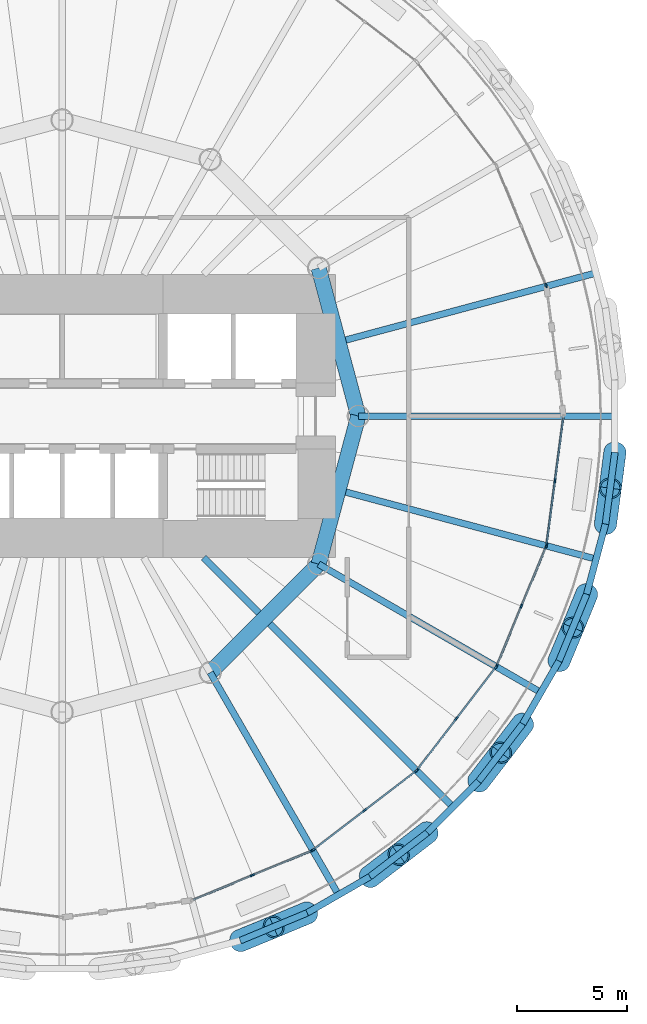
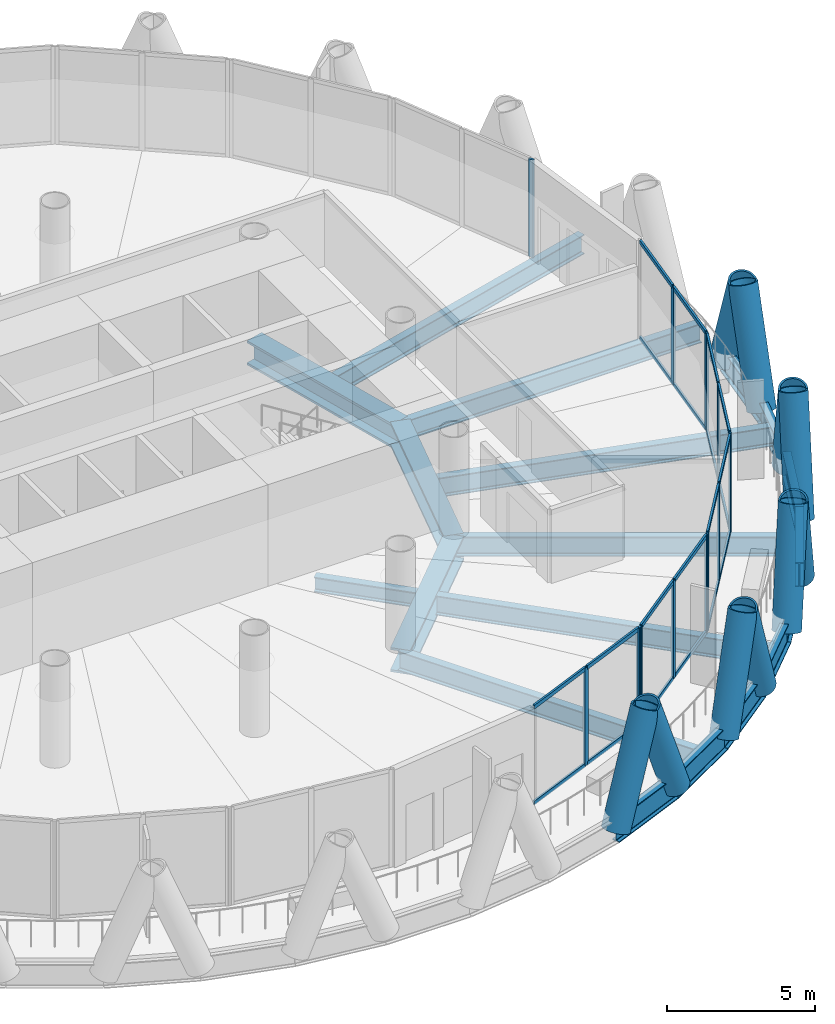
# One storey, part 4 of 15: 44 members, 19 beams, 6 elements without a shape of their own.
"""IFC4 building model written with IfcOpenShell, lengths in metres."""

from ifc_helpers import new_model, si_unit, direction, frame, origin, origin_2d, place, context, subcontext, project, spatial, rectangle, hollow_circle, i_section, extrude, material, material_profile, profile_set, type_object, element, aggregate, save


model = new_model("IFC4")

# Units and contexts
model_context = context("Model", 3, precision=1e-05, world=origin(), true_north=direction((0.0, 1.0)))
body_context = subcontext(model_context, "Body", "Model", "MODEL_VIEW")
ifc_project = project(units=[si_unit("LENGTHUNIT", "METRE"), si_unit("AREAUNIT", "SQUARE_METRE"), si_unit("VOLUMEUNIT", "CUBIC_METRE"), si_unit("PLANEANGLEUNIT", "RADIAN"), si_unit("MASSUNIT", "GRAM", prefix="KILO")], contexts=[model_context])

# Site, building, storey
site_placement = place(None, origin())
site = spatial("IfcSite", under=ifc_project, at=site_placement, CompositionType="ELEMENT")
building_placement = place(site_placement, origin())
building = spatial("IfcBuilding", under=site, at=building_placement, Name="Qaws Media Tower", CompositionType="ELEMENT")
storey_placement = place(building_placement, frame((0.0, 0.0, 114.199951171875)))
storey = spatial("IfcBuildingStorey", under=building, at=storey_placement, Name="L25", CompositionType="ELEMENT", Elevation=114.199951171875)

# Curtain wall, member
ifc_material_1 = material(Name="Aluminium and clear glass", Category="aluminium")
curtain_wall_type = type_object("IfcCurtainWallType", Name="Unitised curtain wall CW-B", PredefinedType="NOTDEFINED", material=ifc_material_1)
curtain_wall_1_placement = place(storey_placement, origin())
curtain_wall_1 = element("IfcCurtainWall", 1, at=curtain_wall_1_placement, inside=storey, type_object=curtain_wall_type, Name="CWB curtain wall L25-02", PredefinedType="NOTDEFINED")
ifc_material_2 = material(Name="Aluminium mullion", Category="aluminium")
ifc_material_profile_1 = material_profile(ifc_material_2, rectangle(XDim=0.080078125, YDim=0.199951171875, at=origin_2d()), Name="80x200")
ifc_profile_set_1 = profile_set([ifc_material_profile_1], Name="Aluminium mullion")
member_type_1 = type_object("IfcMemberType", Name="Curtain wall mullion 80x200", PredefinedType="MULLION", material=ifc_profile_set_1)
member_1_placement = place(storey_placement, frame((82.05615234375, 55.950927734375, 0.0), z_axis=(0.0, 0.0, 1.0), x_axis=(-0.923879516448, -0.382683471145, 0.0)))
member_1 = element("IfcMember", 2, at=member_1_placement, type_object=member_type_1, Name="CWB mullion 1", PredefinedType="MULLION", context=body_context, shape_type="SweptSolid", body=[
    extrude(rectangle(XDim=0.080078125, YDim=0.199951171875, at=origin_2d()), origin(), (0.0, 0.0, 1.0), 4.0400390625),
])
aggregate(curtain_wall_1, [member_1])

# Curtain wall, members
curtain_wall_2_placement = place(storey_placement, origin())
curtain_wall_2 = element("IfcCurtainWall", 3, at=curtain_wall_2_placement, inside=storey, type_object=curtain_wall_type, Name="CWB curtain wall L25-20", PredefinedType="NOTDEFINED")
member_2_placement = place(storey_placement, frame((68.66943359375, 29.070068359375, 0.0), z_axis=(0.0, 0.0, 1.0), x_axis=(-0.382683471145, 0.923879516448, 0.0)))
member_2 = element("IfcMember", 4, at=member_2_placement, type_object=member_type_1, Name="CWB mullion 2", PredefinedType="MULLION", context=body_context, shape_type="SweptSolid", body=[
    extrude(rectangle(XDim=0.080078125, YDim=0.199951171875, at=origin_2d()), origin(), (0.0, 0.0, 1.0), 4.0400390625),
])
member_3_placement = place(storey_placement, frame((71.387939453125, 30.196044921875, 0.0), z_axis=(0.0, 0.0, 1.0), x_axis=(-0.382683471145, 0.923879516448, 0.0)))
member_3 = element("IfcMember", 5, at=member_3_placement, type_object=member_type_1, Name="CWB mullion 3", PredefinedType="MULLION", context=body_context, shape_type="SweptSolid", body=[
    extrude(rectangle(XDim=0.080078125, YDim=0.199951171875, at=origin_2d()), origin(), (0.0, 0.0, 1.0), 4.0400390625),
])

curtain_wall_3_placement = place(storey_placement, origin())
curtain_wall_3 = element("IfcCurtainWall", 6, at=curtain_wall_3_placement, inside=storey, type_object=curtain_wall_type, Name="CWB curtain wall L25-21", PredefinedType="NOTDEFINED")
member_4_placement = place(storey_placement, frame((71.456787109375, 30.235595703125, 0.0), z_axis=(0.0, 0.0, 1.0), x_axis=(-0.608761369427, 0.79335338601, 0.0)))
member_4 = element("IfcMember", 7, at=member_4_placement, type_object=member_type_1, Name="CWB mullion 1", PredefinedType="MULLION", context=body_context, shape_type="SweptSolid", body=[
    extrude(rectangle(XDim=0.080078125, YDim=0.199951171875, at=origin_2d()), origin(), (0.0, 0.0, 1.0), 4.0400390625),
])
member_5_placement = place(storey_placement, frame((73.791259765625, 32.02685546875, 0.0), z_axis=(0.0, 0.0, 1.0), x_axis=(-0.608761369427, 0.79335338601, 0.0)))
member_5 = element("IfcMember", 8, at=member_5_placement, type_object=member_type_1, Name="CWB mullion 2", PredefinedType="MULLION", context=body_context, shape_type="SweptSolid", body=[
    extrude(rectangle(XDim=0.080078125, YDim=0.199951171875, at=origin_2d()), origin(), (0.0, 0.0, 1.0), 4.0400390625),
])
member_6_placement = place(storey_placement, frame((76.125732421875, 33.818359375, 0.0), z_axis=(0.0, 0.0, 1.0), x_axis=(-0.608761369427, 0.79335338601, 0.0)))
member_6 = element("IfcMember", 9, at=member_6_placement, type_object=member_type_1, Name="CWB mullion 3", PredefinedType="MULLION", context=body_context, shape_type="SweptSolid", body=[
    extrude(rectangle(XDim=0.080078125, YDim=0.199951171875, at=origin_2d()), origin(), (0.0, 0.0, 1.0), 4.0400390625),
])

curtain_wall_4_placement = place(storey_placement, origin())
curtain_wall_4 = element("IfcCurtainWall", 10, at=curtain_wall_4_placement, inside=storey, type_object=curtain_wall_type, Name="CWB curtain wall L25-22", PredefinedType="NOTDEFINED")
member_7_placement = place(storey_placement, frame((76.181640625, 33.874267578125, 0.0), z_axis=(0.0, 0.0, 1.0), x_axis=(-0.79335338601, 0.608761369427, 0.0)))
member_7 = element("IfcMember", 11, at=member_7_placement, type_object=member_type_1, Name="CWB mullion 1", PredefinedType="MULLION", context=body_context, shape_type="SweptSolid", body=[
    extrude(rectangle(XDim=0.080078125, YDim=0.199951171875, at=origin_2d()), origin(), (0.0, 0.0, 1.0), 4.0400390625),
])
member_8_placement = place(storey_placement, frame((77.97314453125, 36.208740234375, 0.0), z_axis=(0.0, 0.0, 1.0), x_axis=(-0.79335338601, 0.608761369427, 0.0)))
member_8 = element("IfcMember", 12, at=member_8_placement, type_object=member_type_1, Name="CWB mullion 2", PredefinedType="MULLION", context=body_context, shape_type="SweptSolid", body=[
    extrude(rectangle(XDim=0.080078125, YDim=0.199951171875, at=origin_2d()), origin(), (0.0, 0.0, 1.0), 4.0400390625),
])
member_9_placement = place(storey_placement, frame((79.764404296875, 38.543212890625, 0.0), z_axis=(0.0, 0.0, 1.0), x_axis=(-0.79335338601, 0.608761369427, 0.0)))
member_9 = element("IfcMember", 13, at=member_9_placement, type_object=member_type_1, Name="CWB mullion 3", PredefinedType="MULLION", context=body_context, shape_type="SweptSolid", body=[
    extrude(rectangle(XDim=0.080078125, YDim=0.199951171875, at=origin_2d()), origin(), (0.0, 0.0, 1.0), 4.0400390625),
])

curtain_wall_5_placement = place(storey_placement, origin())
curtain_wall_5 = element("IfcCurtainWall", 14, at=curtain_wall_5_placement, inside=storey, type_object=curtain_wall_type, Name="CWB curtain wall L25-23", PredefinedType="NOTDEFINED")
member_10_placement = place(storey_placement, frame((79.803955078125, 38.612060546875, 0.0), z_axis=(0.0, 0.0, 1.0), x_axis=(-0.923879516448, 0.382683471145, 0.0)))
member_10 = element("IfcMember", 15, at=member_10_placement, type_object=member_type_1, Name="CWB mullion 1", PredefinedType="MULLION", context=body_context, shape_type="SweptSolid", body=[
    extrude(rectangle(XDim=0.080078125, YDim=0.199951171875, at=origin_2d()), origin(), (0.0, 0.0, 1.0), 4.0400390625),
])
member_11_placement = place(storey_placement, frame((80.929931640625, 41.33056640625, 0.0), z_axis=(0.0, 0.0, 1.0), x_axis=(-0.923879516448, 0.382683471145, 0.0)))
member_11 = element("IfcMember", 16, at=member_11_placement, type_object=member_type_1, Name="CWB mullion 2", PredefinedType="MULLION", context=body_context, shape_type="SweptSolid", body=[
    extrude(rectangle(XDim=0.080078125, YDim=0.199951171875, at=origin_2d()), origin(), (0.0, 0.0, 1.0), 4.0400390625),
])
member_12_placement = place(storey_placement, frame((82.05615234375, 44.049072265625, 0.0), z_axis=(0.0, 0.0, 1.0), x_axis=(-0.923879516448, 0.382683471145, 0.0)))
member_12 = element("IfcMember", 17, at=member_12_placement, type_object=member_type_1, Name="CWB mullion 3", PredefinedType="MULLION", context=body_context, shape_type="SweptSolid", body=[
    extrude(rectangle(XDim=0.080078125, YDim=0.199951171875, at=origin_2d()), origin(), (0.0, 0.0, 1.0), 4.0400390625),
])

curtain_wall_6_placement = place(storey_placement, origin())
curtain_wall_6 = element("IfcCurtainWall", 18, at=curtain_wall_6_placement, inside=storey, type_object=curtain_wall_type, Name="CWB curtain wall L25-24", PredefinedType="NOTDEFINED")
member_13_placement = place(storey_placement, frame((82.07666015625, 44.125732421875, 0.0), z_axis=(0.0, 0.0, 1.0), x_axis=(-0.991444858023, 0.130526217674, 0.0)))
member_13 = element("IfcMember", 19, at=member_13_placement, type_object=member_type_1, Name="CWB mullion 1", PredefinedType="MULLION", context=body_context, shape_type="SweptSolid", body=[
    extrude(rectangle(XDim=0.080078125, YDim=0.199951171875, at=origin_2d()), origin(), (0.0, 0.0, 1.0), 4.0400390625),
])
member_14_placement = place(storey_placement, frame((82.460693359375, 47.04296875, 0.0), z_axis=(0.0, 0.0, 1.0), x_axis=(-0.991444858023, 0.130526217674, 0.0)))
member_14 = element("IfcMember", 20, at=member_14_placement, type_object=member_type_1, Name="CWB mullion 2", PredefinedType="MULLION", context=body_context, shape_type="SweptSolid", body=[
    extrude(rectangle(XDim=0.080078125, YDim=0.199951171875, at=origin_2d()), origin(), (0.0, 0.0, 1.0), 4.0400390625),
])

# Member
ifc_material_3 = material(Name="Aluminium transom", Category="aluminium")
ifc_material_profile_2 = material_profile(ifc_material_3, rectangle(XDim=0.080078125, YDim=0.159912109375, at=origin_2d()), Name="80x160")
ifc_profile_set_2 = profile_set([ifc_material_profile_2], Name="Aluminium transom")
member_type_2 = type_object("IfcMemberType", Name="Curtain wall transom 80x160", PredefinedType="USERDEFINED", material=ifc_profile_set_2)
member_15_placement = place(storey_placement, frame((65.988037109375, 27.959228515625, 0.0400390625), z_axis=(0.923872334596, 0.382700809207, 0.0), x_axis=(-0.382700809207, 0.923872334596, 0.0)))
member_15 = element("IfcMember", 21, at=member_15_placement, type_object=member_type_2, Name="CWB transom 1.1", ObjectType="TRANSOM", PredefinedType="USERDEFINED", context=body_context, shape_type="SweptSolid", body=[
    extrude(rectangle(XDim=0.080078125, YDim=0.159912109375, at=origin_2d()), origin(), (0.0, 0.0, 1.0), 2.862548828125),
])

member_16_placement = place(storey_placement, frame((65.988037109375, 27.959228515625, 4.0), z_axis=(0.923872334596, 0.382700809207, 0.0), x_axis=(-0.382700809207, 0.923872334596, 0.0)))
member_16 = element("IfcMember", 22, at=member_16_placement, type_object=member_type_2, Name="CWB transom 1.2", ObjectType="TRANSOM", PredefinedType="USERDEFINED", context=body_context, shape_type="SweptSolid", body=[
    extrude(rectangle(XDim=0.080078125, YDim=0.159912109375, at=origin_2d()), origin(), (0.0, 0.0, 1.0), 2.862548828125),
])

member_17_placement = place(storey_placement, frame((68.70654296875, 29.085205078125, 0.0400390625), z_axis=(0.923872334596, 0.382700809207, 0.0), x_axis=(-0.382700809207, 0.923872334596, 0.0)))
member_17 = element("IfcMember", 23, at=member_17_placement, type_object=member_type_2, Name="CWB transom 2.1", ObjectType="TRANSOM", PredefinedType="USERDEFINED", context=body_context, shape_type="SweptSolid", body=[
    extrude(rectangle(XDim=0.080078125, YDim=0.159912109375, at=origin_2d()), origin(), (0.0, 0.0, 1.0), 2.862548828125),
])

member_18_placement = place(storey_placement, frame((68.70654296875, 29.085205078125, 4.0), z_axis=(0.923872334596, 0.382700809207, 0.0), x_axis=(-0.382700809207, 0.923872334596, 0.0)))
member_18 = element("IfcMember", 24, at=member_18_placement, type_object=member_type_2, Name="CWB transom 2.2", ObjectType="TRANSOM", PredefinedType="USERDEFINED", context=body_context, shape_type="SweptSolid", body=[
    extrude(rectangle(XDim=0.080078125, YDim=0.159912109375, at=origin_2d()), origin(), (0.0, 0.0, 1.0), 2.862548828125),
])

aggregate(curtain_wall_2, [member_2, member_3, member_15, member_16, member_17, member_18])

member_19_placement = place(storey_placement, frame((71.488525390625, 30.260009765625, 0.0400390625), z_axis=(0.793339979648, 0.608778840543, 0.0), x_axis=(-0.608778840543, 0.793339979648, 0.0)))
member_19 = element("IfcMember", 25, at=member_19_placement, type_object=member_type_2, Name="CWB transom 1.1", ObjectType="TRANSOM", PredefinedType="USERDEFINED", context=body_context, shape_type="SweptSolid", body=[
    extrude(rectangle(XDim=0.080078125, YDim=0.159912109375, at=origin_2d()), origin(), (0.0, 0.0, 1.0), 2.862548828125),
])

member_20_placement = place(storey_placement, frame((71.488525390625, 30.260009765625, 4.0), z_axis=(0.793339979648, 0.608778840543, 0.0), x_axis=(-0.608778840543, 0.793339979648, 0.0)))
member_20 = element("IfcMember", 26, at=member_20_placement, type_object=member_type_2, Name="CWB transom 1.2", ObjectType="TRANSOM", PredefinedType="USERDEFINED", context=body_context, shape_type="SweptSolid", body=[
    extrude(rectangle(XDim=0.080078125, YDim=0.159912109375, at=origin_2d()), origin(), (0.0, 0.0, 1.0), 2.862548828125),
])

member_21_placement = place(storey_placement, frame((73.822998046875, 32.05126953125, 0.0400390625), z_axis=(0.793339979648, 0.608778840543, 0.0), x_axis=(-0.608778840543, 0.793339979648, 0.0)))
member_21 = element("IfcMember", 27, at=member_21_placement, type_object=member_type_2, Name="CWB transom 2.1", ObjectType="TRANSOM", PredefinedType="USERDEFINED", context=body_context, shape_type="SweptSolid", body=[
    extrude(rectangle(XDim=0.080078125, YDim=0.159912109375, at=origin_2d()), origin(), (0.0, 0.0, 1.0), 2.862548828125),
])

member_22_placement = place(storey_placement, frame((73.822998046875, 32.05126953125, 4.0), z_axis=(0.793339979648, 0.608778840543, 0.0), x_axis=(-0.608778840543, 0.793339979648, 0.0)))
member_22 = element("IfcMember", 28, at=member_22_placement, type_object=member_type_2, Name="CWB transom 2.2", ObjectType="TRANSOM", PredefinedType="USERDEFINED", context=body_context, shape_type="SweptSolid", body=[
    extrude(rectangle(XDim=0.080078125, YDim=0.159912109375, at=origin_2d()), origin(), (0.0, 0.0, 1.0), 2.862548828125),
])

aggregate(curtain_wall_3, [member_4, member_5, member_6, member_19, member_20, member_21, member_22])

member_23_placement = place(storey_placement, frame((76.2060546875, 33.906005859375, 0.0400390625), z_axis=(0.608778840543, 0.793339979648, 0.0), x_axis=(-0.793339979648, 0.608778840543, 0.0)))
member_23 = element("IfcMember", 29, at=member_23_placement, type_object=member_type_2, Name="CWB transom 1.1", ObjectType="TRANSOM", PredefinedType="USERDEFINED", context=body_context, shape_type="SweptSolid", body=[
    extrude(rectangle(XDim=0.080078125, YDim=0.159912109375, at=origin_2d()), origin(), (0.0, 0.0, 1.0), 2.862548828125),
])

member_24_placement = place(storey_placement, frame((76.2060546875, 33.906005859375, 4.0), z_axis=(0.608778840543, 0.793339979648, 0.0), x_axis=(-0.793339979648, 0.608778840543, 0.0)))
member_24 = element("IfcMember", 30, at=member_24_placement, type_object=member_type_2, Name="CWB transom 1.2", ObjectType="TRANSOM", PredefinedType="USERDEFINED", context=body_context, shape_type="SweptSolid", body=[
    extrude(rectangle(XDim=0.080078125, YDim=0.159912109375, at=origin_2d()), origin(), (0.0, 0.0, 1.0), 2.862548828125),
])

member_25_placement = place(storey_placement, frame((77.997314453125, 36.240478515625, 0.0400390625), z_axis=(0.608778840543, 0.793339979648, 0.0), x_axis=(-0.793339979648, 0.608778840543, 0.0)))
member_25 = element("IfcMember", 31, at=member_25_placement, type_object=member_type_2, Name="CWB transom 2.1", ObjectType="TRANSOM", PredefinedType="USERDEFINED", context=body_context, shape_type="SweptSolid", body=[
    extrude(rectangle(XDim=0.080078125, YDim=0.159912109375, at=origin_2d()), origin(), (0.0, 0.0, 1.0), 2.862548828125),
])

member_26_placement = place(storey_placement, frame((77.997314453125, 36.240478515625, 4.0), z_axis=(0.608778840543, 0.793339979648, 0.0), x_axis=(-0.793339979648, 0.608778840543, 0.0)))
member_26 = element("IfcMember", 32, at=member_26_placement, type_object=member_type_2, Name="CWB transom 2.2", ObjectType="TRANSOM", PredefinedType="USERDEFINED", context=body_context, shape_type="SweptSolid", body=[
    extrude(rectangle(XDim=0.080078125, YDim=0.159912109375, at=origin_2d()), origin(), (0.0, 0.0, 1.0), 2.862548828125),
])

aggregate(curtain_wall_4, [member_7, member_8, member_9, member_23, member_24, member_25, member_26])

member_27_placement = place(storey_placement, frame((79.8193359375, 38.64892578125, 0.0400390625), z_axis=(0.382700809207, 0.923872334596, 0.0), x_axis=(-0.923872334596, 0.382700809207, 0.0)))
member_27 = element("IfcMember", 33, at=member_27_placement, type_object=member_type_2, Name="CWB transom 1.1", ObjectType="TRANSOM", PredefinedType="USERDEFINED", context=body_context, shape_type="SweptSolid", body=[
    extrude(rectangle(XDim=0.080078125, YDim=0.159912109375, at=origin_2d()), origin(), (0.0, 0.0, 1.0), 2.862548828125),
])

member_28_placement = place(storey_placement, frame((79.8193359375, 38.64892578125, 4.0), z_axis=(0.382700809207, 0.923872334596, 0.0), x_axis=(-0.923872334596, 0.382700809207, 0.0)))
member_28 = element("IfcMember", 34, at=member_28_placement, type_object=member_type_2, Name="CWB transom 1.2", ObjectType="TRANSOM", PredefinedType="USERDEFINED", context=body_context, shape_type="SweptSolid", body=[
    extrude(rectangle(XDim=0.080078125, YDim=0.159912109375, at=origin_2d()), origin(), (0.0, 0.0, 1.0), 2.862548828125),
])

member_29_placement = place(storey_placement, frame((80.9453125, 41.367431640625, 0.0400390625), z_axis=(0.382700809207, 0.923872334596, 0.0), x_axis=(-0.923872334596, 0.382700809207, 0.0)))
member_29 = element("IfcMember", 35, at=member_29_placement, type_object=member_type_2, Name="CWB transom 2.1", ObjectType="TRANSOM", PredefinedType="USERDEFINED", context=body_context, shape_type="SweptSolid", body=[
    extrude(rectangle(XDim=0.080078125, YDim=0.159912109375, at=origin_2d()), origin(), (0.0, 0.0, 1.0), 2.862548828125),
])

member_30_placement = place(storey_placement, frame((80.9453125, 41.367431640625, 4.0), z_axis=(0.382700809207, 0.923872334596, 0.0), x_axis=(-0.923872334596, 0.382700809207, 0.0)))
member_30 = element("IfcMember", 36, at=member_30_placement, type_object=member_type_2, Name="CWB transom 2.2", ObjectType="TRANSOM", PredefinedType="USERDEFINED", context=body_context, shape_type="SweptSolid", body=[
    extrude(rectangle(XDim=0.080078125, YDim=0.159912109375, at=origin_2d()), origin(), (0.0, 0.0, 1.0), 2.862548828125),
])

aggregate(curtain_wall_5, [member_10, member_11, member_12, member_27, member_28, member_29, member_30])

member_31_placement = place(storey_placement, frame((82.081787109375, 44.165283203125, 0.0400390625), z_axis=(0.130571437549, 0.991438903663, 0.0), x_axis=(-0.991438903663, 0.130571437549, 0.0)))
member_31 = element("IfcMember", 37, at=member_31_placement, type_object=member_type_2, Name="CWB transom 1.1", ObjectType="TRANSOM", PredefinedType="USERDEFINED", context=body_context, shape_type="SweptSolid", body=[
    extrude(rectangle(XDim=0.080078125, YDim=0.159912109375, at=origin_2d()), origin(), (0.0, 0.0, 1.0), 2.862548828125),
])

member_32_placement = place(storey_placement, frame((82.081787109375, 44.165283203125, 4.0), z_axis=(0.130571437549, 0.991438903663, 0.0), x_axis=(-0.991438903663, 0.130571437549, 0.0)))
member_32 = element("IfcMember", 38, at=member_32_placement, type_object=member_type_2, Name="CWB transom 1.2", ObjectType="TRANSOM", PredefinedType="USERDEFINED", context=body_context, shape_type="SweptSolid", body=[
    extrude(rectangle(XDim=0.080078125, YDim=0.159912109375, at=origin_2d()), origin(), (0.0, 0.0, 1.0), 2.862548828125),
])

member_33_placement = place(storey_placement, frame((82.4658203125, 47.082763671875, 0.0400390625), z_axis=(0.130582478934, 0.991437449462, 0.0), x_axis=(-0.991437449462, 0.130582478934, 0.0)))
member_33 = element("IfcMember", 39, at=member_33_placement, type_object=member_type_2, Name="CWB transom 2.1", ObjectType="TRANSOM", PredefinedType="USERDEFINED", context=body_context, shape_type="SweptSolid", body=[
    extrude(rectangle(XDim=0.080078125, YDim=0.159912109375, at=origin_2d()), origin(), (0.0, 0.0, 1.0), 2.8623046875),
])

member_34_placement = place(storey_placement, frame((82.4658203125, 47.082763671875, 4.0), z_axis=(0.130582478934, 0.991437449462, 0.0), x_axis=(-0.991437449462, 0.130582478934, 0.0)))
member_34 = element("IfcMember", 40, at=member_34_placement, type_object=member_type_2, Name="CWB transom 2.2", ObjectType="TRANSOM", PredefinedType="USERDEFINED", context=body_context, shape_type="SweptSolid", body=[
    extrude(rectangle(XDim=0.080078125, YDim=0.159912109375, at=origin_2d()), origin(), (0.0, 0.0, 1.0), 2.8623046875),
])

aggregate(curtain_wall_6, [member_13, member_14, member_31, member_32, member_33, member_34])

# Members
ifc_material_4 = material(Name="Steel S460", Category="steel")
ifc_material_profile_3 = material_profile(ifc_material_4, hollow_circle(Radius=0.508056640625, WallThickness=0.070068359375, at=origin_2d()), Name="CHS 1016x70")
ifc_profile_set_3 = profile_set([ifc_material_profile_3], Name="Steel S460")
member_type_3 = type_object("IfcMemberType", Name="Diagrid member CHS 1016x70", PredefinedType="USERDEFINED", material=ifc_profile_set_3)
for number, where, z_axis, x_axis, name in (
    (41, (85.196044921875, 48.3486328125, -0.6640625), (-0.046899822475, -0.362919156842, 0.930639614593), (0.991753034089, -0.128163642951, 0.0), "DG3 diagrid L25 B01"),
    (42, (68.116455078125, 26.090087890625, -0.6640625), (0.338368735106, 0.139188290236, 0.930662784774), (-0.380422582844, 0.924812769409, 0.0), "DG3 diagrid L25 A20"),
    (43, (74.028076171875, 29.00537109375, -0.6640625), (0.290865116698, 0.22205715158, 0.930638547085), (-0.606813434489, 0.794844296528, 0.0), "DG3 diagrid L25 A21"),
    (44, (71.167724609375, 27.35400390625, -0.6640625), (-0.337714392643, -0.140863091213, 0.930648472054), (0.384961763286, -0.922932522348, 0.0), "DG3 diagrid L25 B21"),
    (45, (78.98388671875, 33.3515625, -0.6640625), (0.223467284253, 0.289733908124, 0.930653875161), (-0.791837409053, 0.610731952352, 0.0), "DG3 diagrid L25 A22"),
    (46, (76.6484375, 31.01611328125, -0.6640625), (-0.289733908124, -0.223467284253, 0.930653875161), (0.610731952352, -0.791837409053, 0.0), "DG3 diagrid L25 B22"),
    (47, (82.64599609375, 38.832275390625, -0.6640625), (0.140863091213, 0.337714392643, 0.930648472054), (-0.922932522348, 0.384961763286, 0.0), "DG3 diagrid L25 A23"),
    (48, (80.99462890625, 35.971923828125, -0.6640625), (-0.22205715158, -0.290865116698, 0.930638547085), (0.794844296528, -0.606813434489, 0.0), "DG3 diagrid L25 B23"),
    (49, (84.764892578125, 45.073974609375, -0.6640625), (0.048631593333, 0.362654284432, 0.930653984095), (-0.991128198543, 0.13290934524, 0.0), "DG3 diagrid L25 A24"),
    (50, (83.909912109375, 41.883544921875, -0.6640625), (-0.139188290236, -0.338368735106, 0.930662784774), (0.924812769409, -0.380422582844, 0.0), "DG3 diagrid L25 B24"),
):
    element("IfcMember", number, at=place(storey_placement, frame(where, z_axis=z_axis, x_axis=x_axis)), inside=storey, type_object=member_type_3, Name=name, ObjectType="DIAGRID", PredefinedType="USERDEFINED", context=body_context, shape_type="SweptSolid", body=[
        extrude(hollow_circle(Radius=0.508056640625, WallThickness=0.070068359375, at=origin_2d()), origin(), (0.0, 0.0, 1.0), 4.51318359375),
    ])

# Beams
ifc_material_5 = material(Name="Steel S460", Category="steel")
ifc_material_profile_4 = material_profile(ifc_material_5, i_section(OverallWidth=0.302001953125, OverallDepth=1.008056640625, WebThickness=0.02099609375, FlangeThickness=0.0400390625, FilletRadius=0.030029296875, at=origin_2d()), Name="HE 1000 M")
ifc_profile_set_4 = profile_set([ifc_material_profile_4], Name="Steel S460")
beam_type_1 = type_object("IfcBeamType", Name="Edge ring beam HE 1000 M", PredefinedType="BEAM", material=ifc_profile_set_4)
for number, where, z_axis, x_axis, name in (
    (51, (68.116455078125, 26.090087890625, -0.6640625), (0.92387537962, 0.382693458177, 0.0), (-0.382693458177, 0.92387537962, 0.0), "RB3 edge ring beam L25-39"),
    (52, (71.167724609375, 27.35400390625, -0.6640625), (0.866032949645, 0.499986929959, 0.0), (-0.499986929959, 0.866032949645, 0.0), "RB3 edge ring beam L25-40"),
):
    element("IfcBeam", number, at=place(storey_placement, frame(where, z_axis=z_axis, x_axis=x_axis)), inside=storey, type_object=beam_type_1, Name=name, PredefinedType="BEAM", context=body_context, shape_type="SweptSolid", body=[
        extrude(i_section(OverallWidth=0.302001953125, OverallDepth=1.008056640625, WebThickness=0.02099609375, FlangeThickness=0.0400390625, FilletRadius=0.030029296875, at=origin_2d()), origin(), (0.0, 0.0, 1.0), 3.302734375),
    ])
beam_1_placement = place(storey_placement, frame((74.028076171875, 29.00537109375, -0.6640625), z_axis=(0.793343364577, 0.608774429392, 0.0), x_axis=(-0.608774429392, 0.793343364577, 0.0)))
element("IfcBeam", 53, at=beam_1_placement, inside=storey, type_object=beam_type_1, Name="RB3 edge ring beam L25-41", PredefinedType="BEAM", context=body_context, shape_type="SweptSolid", body=[
    extrude(i_section(OverallWidth=0.302001953125, OverallDepth=1.008056640625, WebThickness=0.02099609375, FlangeThickness=0.0400390625, FilletRadius=0.030029296875, at=origin_2d()), origin(), (0.0, 0.0, 1.0), 3.302978515625),
])
beam_2_placement = place(storey_placement, frame((76.6484375, 31.01611328125, -0.6640625), z_axis=(0.707106781187, 0.707106781187, 0.0), x_axis=(-0.707106781187, 0.707106781187, 0.0)))
element("IfcBeam", 54, at=beam_2_placement, inside=storey, type_object=beam_type_1, Name="RB3 edge ring beam L25-42", PredefinedType="BEAM", context=body_context, shape_type="SweptSolid", body=[
    extrude(i_section(OverallWidth=0.302001953125, OverallDepth=1.008056640625, WebThickness=0.02099609375, FlangeThickness=0.0400390625, FilletRadius=0.030029296875, at=origin_2d()), origin(), (0.0, 0.0, 1.0), 3.302734375),
])
beam_3_placement = place(storey_placement, frame((78.98388671875, 33.3515625, -0.6640625), z_axis=(0.608774429392, 0.793343364577, 0.0), x_axis=(-0.793343364577, 0.608774429392, 0.0)))
element("IfcBeam", 55, at=beam_3_placement, inside=storey, type_object=beam_type_1, Name="RB3 edge ring beam L25-43", PredefinedType="BEAM", context=body_context, shape_type="SweptSolid", body=[
    extrude(i_section(OverallWidth=0.302001953125, OverallDepth=1.008056640625, WebThickness=0.02099609375, FlangeThickness=0.0400390625, FilletRadius=0.030029296875, at=origin_2d()), origin(), (0.0, 0.0, 1.0), 3.302978515625),
])
for number, where, z_axis, x_axis, name in (
    (56, (80.99462890625, 35.971923828125, -0.6640625), (0.499986929959, 0.866032949645, 0.0), (-0.866032949645, 0.499986929959, 0.0), "RB3 edge ring beam L25-44"),
    (57, (82.64599609375, 38.832275390625, -0.6640625), (0.382693458177, 0.92387537962, 0.0), (-0.92387537962, 0.382693458177, 0.0), "RB3 edge ring beam L25-45"),
):
    element("IfcBeam", number, at=place(storey_placement, frame(where, z_axis=z_axis, x_axis=x_axis)), inside=storey, type_object=beam_type_1, Name=name, PredefinedType="BEAM", context=body_context, shape_type="SweptSolid", body=[
        extrude(i_section(OverallWidth=0.302001953125, OverallDepth=1.008056640625, WebThickness=0.02099609375, FlangeThickness=0.0400390625, FilletRadius=0.030029296875, at=origin_2d()), origin(), (0.0, 0.0, 1.0), 3.302734375),
    ])
for number, where, z_axis, x_axis, name in (
    (58, (83.909912109375, 41.883544921875, -0.6640625), (0.258849385643, 0.965917696055, 0.0), (-0.965917696055, 0.258849385643, 0.0), "RB3 edge ring beam L25-46"),
    (59, (84.764892578125, 45.073974609375, -0.6640625), (0.130536731142, 0.991443473841, 0.0), (-0.991443473841, 0.130536731142, 0.0), "RB3 edge ring beam L25-47"),
):
    element("IfcBeam", number, at=place(storey_placement, frame(where, z_axis=z_axis, x_axis=x_axis)), inside=storey, type_object=beam_type_1, Name=name, PredefinedType="BEAM", context=body_context, shape_type="SweptSolid", body=[
        extrude(i_section(OverallWidth=0.302001953125, OverallDepth=1.008056640625, WebThickness=0.02099609375, FlangeThickness=0.0400390625, FilletRadius=0.030029296875, at=origin_2d()), origin(), (0.0, 0.0, 1.0), 3.302978515625),
    ])
ifc_material_6 = material(Name="Steel S460", Category="steel")
ifc_material_profile_5 = material_profile(ifc_material_6, i_section(OverallWidth=0.699951171875, OverallDepth=1.0, WebThickness=0.034912109375, FlangeThickness=0.090087890625, at=origin_2d()), Name="PG 1000x700")
ifc_profile_set_5 = profile_set([ifc_material_profile_5], Name="Steel S460")
beam_type_2 = type_object("IfcBeamType", Name="Inner ring girder PG 1000x700", PredefinedType="BEAM", material=ifc_profile_set_5)
beam_4_placement = place(storey_placement, frame((73.5, 50.0, -0.659912109375), z_axis=(-0.258810593767, 0.965928090778, 0.0), x_axis=(-0.965928090778, -0.258810593767, 0.0)))
element("IfcBeam", 60, at=beam_4_placement, inside=storey, type_object=beam_type_2, Name="B3 inner ring beam L25 I01-I02", PredefinedType="BEAM", context=body_context, shape_type="SweptSolid", body=[
    extrude(i_section(OverallWidth=0.699951171875, OverallDepth=1.0, WebThickness=0.034912109375, FlangeThickness=0.090087890625, at=origin_2d()), origin(), (0.0, 0.0, 1.0), 6.988037109375),
])
beam_5_placement = place(storey_placement, frame((66.75, 38.30859375, -0.659912109375), z_axis=(0.707106781187, 0.707106781187, 0.0), x_axis=(-0.707106781187, 0.707106781187, 0.0)))
element("IfcBeam", 61, at=beam_5_placement, inside=storey, type_object=beam_type_2, Name="B3 inner ring beam L25 I11-I12", PredefinedType="BEAM", context=body_context, shape_type="SweptSolid", body=[
    extrude(i_section(OverallWidth=0.699951171875, OverallDepth=1.0, WebThickness=0.034912109375, FlangeThickness=0.090087890625, at=origin_2d()), origin(), (0.0, 0.0, 1.0), 6.98828125),
])
beam_6_placement = place(storey_placement, frame((71.69140625, 43.25, -0.659912109375), z_axis=(0.258810593767, 0.965928090778, 0.0), x_axis=(-0.965928090778, 0.258810593767, 0.0)))
element("IfcBeam", 62, at=beam_6_placement, inside=storey, type_object=beam_type_2, Name="B3 inner ring beam L25 I12-I01", PredefinedType="BEAM", context=body_context, shape_type="SweptSolid", body=[
    extrude(i_section(OverallWidth=0.699951171875, OverallDepth=1.0, WebThickness=0.034912109375, FlangeThickness=0.090087890625, at=origin_2d()), origin(), (0.0, 0.0, 1.0), 6.988037109375),
])
ifc_material_7 = material(Name="Steel S355", Category="steel")
ifc_material_profile_6 = material_profile(ifc_material_7, i_section(OverallWidth=0.304931640625, OverallDepth=0.6201171875, WebThickness=0.02099609375, FlangeThickness=0.0400390625, FilletRadius=0.027099609375, at=origin_2d()), Name="HE 600 M")
ifc_profile_set_6 = profile_set([ifc_material_profile_6], Name="Steel S355")
beam_type_3 = type_object("IfcBeamType", Name="Radial beam HE 600 M, core side", PredefinedType="BEAM", material=ifc_profile_set_6)
beam_7_placement = place(storey_placement, frame((66.449951171875, 43.550048828125, -0.469970703125), z_axis=(0.707106781187, -0.707106781187, 0.0), x_axis=(0.707106781187, 0.707106781187, 0.0)))
element("IfcBeam", 63, at=beam_7_placement, inside=storey, type_object=beam_type_3, Name="B2 radial beam L25 22", PredefinedType="BEAM", context=body_context, shape_type="SweptSolid", body=[
    extrude(i_section(OverallWidth=0.304931640625, OverallDepth=0.6201171875, WebThickness=0.02099609375, FlangeThickness=0.0400390625, FilletRadius=0.027099609375, at=origin_2d()), origin(), (0.0, 0.0, 1.0), 3.568359375),
])
ifc_material_8 = material(Name="Steel S355", Category="steel")
ifc_material_profile_7 = material_profile(ifc_material_8, i_section(OverallWidth=0.300048828125, OverallDepth=0.800048828125, WebThickness=0.017578125, FlangeThickness=0.032958984375, FilletRadius=0.030029296875, at=origin_2d()), Name="HE 800 B")
ifc_profile_set_7 = profile_set([ifc_material_profile_7], Name="Steel S355")
beam_type_4 = type_object("IfcBeamType", Name="Radial beam HE 800 B", PredefinedType="BEAM", material=ifc_profile_set_7)
beam_8_placement = place(storey_placement, frame((73.5, 50.0, -0.56005859375), z_axis=(1.0, 0.0, 0.0), x_axis=(0.0, 1.0, 0.0)))
element("IfcBeam", 64, at=beam_8_placement, inside=storey, type_object=beam_type_4, Name="B1 radial beam L25 01", PredefinedType="BEAM", context=body_context, shape_type="SweptSolid", body=[
    extrude(i_section(OverallWidth=0.300048828125, OverallDepth=0.800048828125, WebThickness=0.017578125, FlangeThickness=0.032958984375, FilletRadius=0.030029296875, at=origin_2d()), origin(), (0.0, 0.0, 1.0), 11.696044921875),
])
beam_9_placement = place(storey_placement, frame((72.933837890625, 53.465576171875, -0.56005859375), z_axis=(0.965923959046, 0.258826013647, 0.0), x_axis=(-0.258826013647, 0.965923959046, 0.0)))
element("IfcBeam", 65, at=beam_9_placement, inside=storey, type_object=beam_type_4, Name="B1 radial beam L25 02", PredefinedType="BEAM", context=body_context, shape_type="SweptSolid", body=[
    extrude(i_section(OverallWidth=0.300048828125, OverallDepth=0.800048828125, WebThickness=0.017578125, FlangeThickness=0.032958984375, FilletRadius=0.030029296875, at=origin_2d()), origin(), (0.0, 0.0, 1.0), 11.805908203125),
])
beam_10_placement = place(storey_placement, frame((66.75, 38.30859375, -0.56005859375), z_axis=(0.499998309692, -0.866026379682, 0.0), x_axis=(0.866026379682, 0.499998309692, 0.0)))
element("IfcBeam", 66, at=beam_10_placement, inside=storey, type_object=beam_type_4, Name="B1 radial beam L25 21", PredefinedType="BEAM", context=body_context, shape_type="SweptSolid", body=[
    extrude(i_section(OverallWidth=0.300048828125, OverallDepth=0.800048828125, WebThickness=0.017578125, FlangeThickness=0.032958984375, FilletRadius=0.030029296875, at=origin_2d()), origin(), (0.0, 0.0, 1.0), 11.69580078125),
])
beam_11_placement = place(storey_placement, frame((69.46826171875, 40.53173828125, -0.56005859375), z_axis=(0.707106781187, -0.707106781187, 0.0), x_axis=(0.707106781187, 0.707106781187, 0.0)))
element("IfcBeam", 67, at=beam_11_placement, inside=storey, type_object=beam_type_4, Name="B1 radial beam L25 22", PredefinedType="BEAM", context=body_context, shape_type="SweptSolid", body=[
    extrude(i_section(OverallWidth=0.300048828125, OverallDepth=0.800048828125, WebThickness=0.017578125, FlangeThickness=0.032958984375, FilletRadius=0.030029296875, at=origin_2d()), origin(), (0.0, 0.0, 1.0), 11.8056640625),
])
beam_12_placement = place(storey_placement, frame((71.69140625, 43.25, -0.56005859375), z_axis=(0.866026379682, -0.499998309692, 0.0), x_axis=(0.499998309692, 0.866026379682, 0.0)))
element("IfcBeam", 68, at=beam_12_placement, inside=storey, type_object=beam_type_4, Name="B1 radial beam L25 23", PredefinedType="BEAM", context=body_context, shape_type="SweptSolid", body=[
    extrude(i_section(OverallWidth=0.300048828125, OverallDepth=0.800048828125, WebThickness=0.017578125, FlangeThickness=0.032958984375, FilletRadius=0.030029296875, at=origin_2d()), origin(), (0.0, 0.0, 1.0), 11.69580078125),
])
beam_13_placement = place(storey_placement, frame((72.933837890625, 46.534423828125, -0.56005859375), z_axis=(0.965923959046, -0.258826013647, 0.0), x_axis=(0.258826013647, 0.965923959046, 0.0)))
element("IfcBeam", 69, at=beam_13_placement, inside=storey, type_object=beam_type_4, Name="B1 radial beam L25 24", PredefinedType="BEAM", context=body_context, shape_type="SweptSolid", body=[
    extrude(i_section(OverallWidth=0.300048828125, OverallDepth=0.800048828125, WebThickness=0.017578125, FlangeThickness=0.032958984375, FilletRadius=0.030029296875, at=origin_2d()), origin(), (0.0, 0.0, 1.0), 11.805908203125),
])

save(model, "model.ifc")
